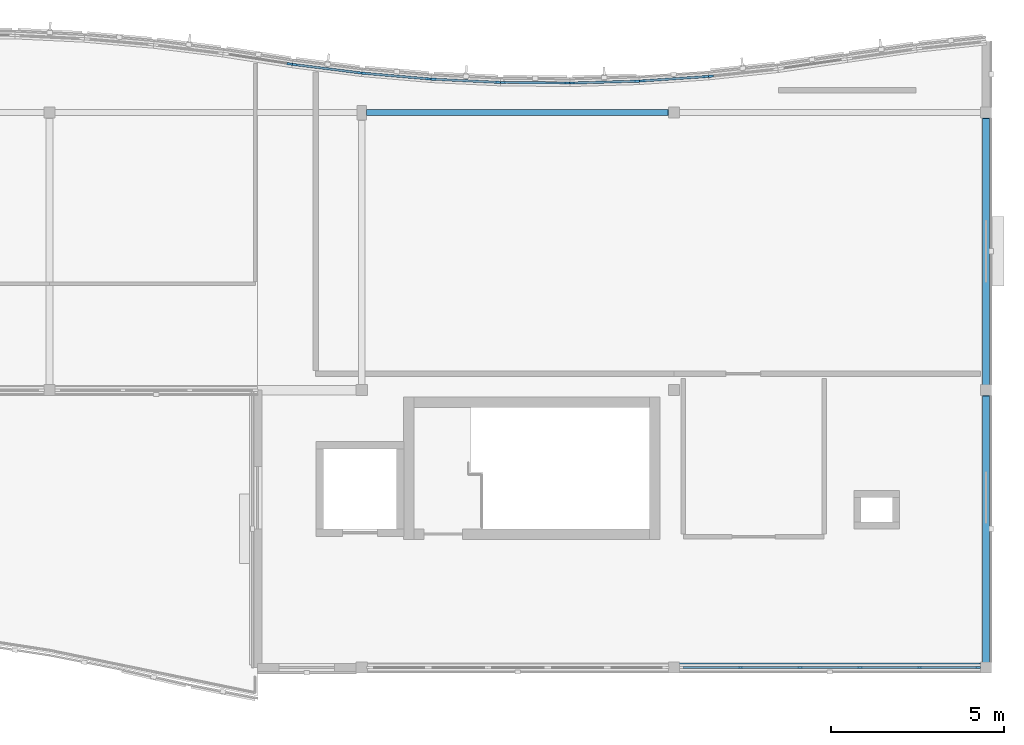
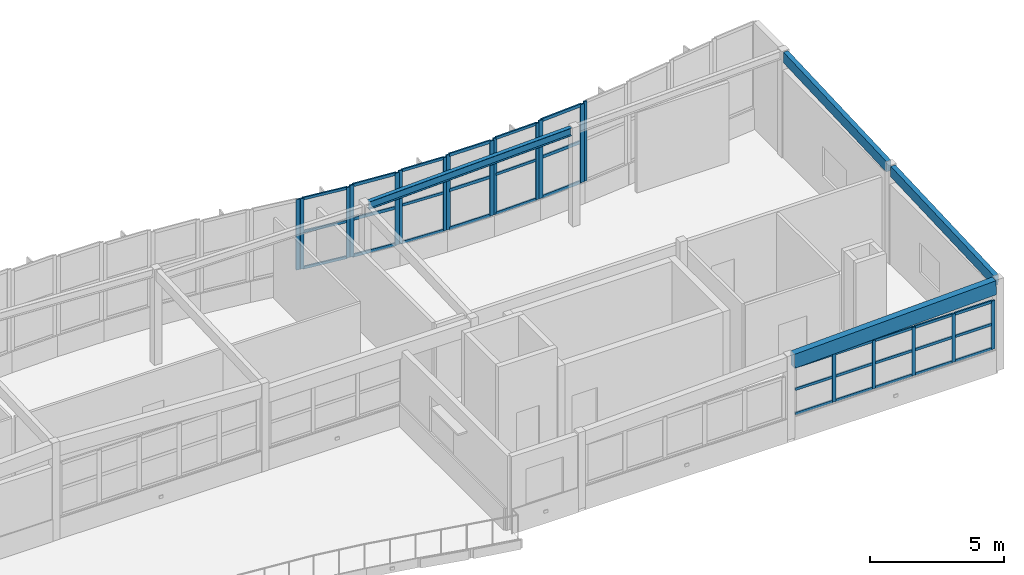
# One storey, part 8 of 20: 52 members, 4 beams, 9 elements without a shape of their own.
"""IFC4 building model written with IfcOpenShell, lengths in metres."""

from ifc_helpers import new_model, si_unit, direction, frame, origin, origin_2d, place, context, subcontext, project, spatial, rectangle, i_section, extrude, material, layer, layer_set, material_profile, profile_set, type_object, element, aggregate, save


model = new_model("IFC4")

# Units and contexts
model_context = context("Model", 3, precision=1e-05, world=origin(), true_north=direction((0.0, 1.0)))
body_context = subcontext(model_context, "Body", "Model", "MODEL_VIEW")
ifc_project = project(units=[si_unit("LENGTHUNIT", "METRE"), si_unit("AREAUNIT", "SQUARE_METRE"), si_unit("VOLUMEUNIT", "CUBIC_METRE"), si_unit("PLANEANGLEUNIT", "RADIAN"), si_unit("MASSUNIT", "GRAM", prefix="KILO")], contexts=[model_context])

# Site, building, storey
site_placement = place(None, origin())
site = spatial("IfcSite", under=ifc_project, at=site_placement, CompositionType="ELEMENT")
building_placement = place(site_placement, origin())
building = spatial("IfcBuilding", under=site, at=building_placement, Name="Tonlespit Floodbar School", CompositionType="ELEMENT")
storey_placement = place(building_placement, frame((0.0, 0.0, 20.10009765625)))
storey = spatial("IfcBuildingStorey", under=building, at=storey_placement, Name="L05", CompositionType="ELEMENT", Elevation=20.10009765625)

# Beams
ifc_material_1 = material(Name="Glulam GL28h", Category="wood")
ifc_material_profile_1 = material_profile(ifc_material_1, rectangle(XDim=0.199951171875, YDim=0.47998046875, at=origin_2d()), Name="GL 200x480")
ifc_profile_set_1 = profile_set([ifc_material_profile_1], Name="Glulam GL28h")
beam_type_1 = type_object("IfcBeamType", Name="Beam_GL_200x480", PredefinedType="BEAM", material=ifc_profile_set_1)
for number, where, z_axis, x_axis, name in (
    (1, (116.0, 104.159912109375, 3.87890625), (0.0, 0.999069533259, 0.043128502326), (-1.0, 0.0, 0.0), "L05 girder 1359"),
    (2, (116.0, 112.159912109375, 4.224365234375), (0.0, 0.999070901195, 0.043096802496), (-1.0, 0.0, 0.0), "L05 girder 1360"),
):
    element("IfcBeam", number, at=place(storey_placement, frame(where, z_axis=z_axis, x_axis=x_axis)), inside=storey, type_object=beam_type_1, Name=name, PredefinedType="BEAM", context=body_context, shape_type="SweptSolid", body=[
        extrude(rectangle(XDim=0.199951171875, YDim=0.47998046875, at=origin_2d()), origin(), (0.0, 0.0, 1.0), 7.687255859375),
    ])
ifc_material_profile_2 = material_profile(ifc_material_1, rectangle(XDim=0.280029296875, YDim=0.639892578125, at=origin_2d()), Name="GL 280x640")
ifc_profile_set_2 = profile_set([ifc_material_profile_2], Name="Glulam GL28h")
beam_type_2 = type_object("IfcBeamType", Name="Beam_GL_280x640", PredefinedType="BEAM", material=ifc_profile_set_2)
beam_1_placement = place(storey_placement, frame((107.159912109375, 104.0, 3.4677734375), z_axis=(0.999327061247, 0.0, 0.036680030796), x_axis=(0.0, 1.0, 0.0)))
element("IfcBeam", 3, at=beam_1_placement, inside=storey, type_object=beam_type_2, Name="L05 girder 1339", PredefinedType="BEAM", context=body_context, shape_type="SweptSolid", body=[
    extrude(rectangle(XDim=0.280029296875, YDim=0.639892578125, at=origin_2d()), origin(), (0.0, 0.0, 1.0), 8.68603515625),
])

# Curtain wall, members
ifc_material_2 = material(Name="Anodised Aluminium", Category="aluminium")
ifc_layer_1 = layer(ifc_material_2, 0.159912109375)
ifc_layer_set_1 = layer_set([ifc_layer_1], Name="Anodised Aluminium")
curtain_wall_type_1 = type_object("IfcCurtainWallType", Name="CurtainWall_1950x3200", PredefinedType="NOTDEFINED", material=ifc_layer_set_1)
curtain_wall_1_placement = place(storey_placement, origin())
curtain_wall_1 = element("IfcCurtainWall", 4, at=curtain_wall_1_placement, inside=storey, type_object=curtain_wall_type_1, Name="L05 unitised curtain wall 0234", PredefinedType="NOTDEFINED")
ifc_material_profile_3 = material_profile(ifc_material_2, rectangle(XDim=0.06494140625, YDim=0.14990234375, at=origin_2d()), Name="ALU M65x150")
ifc_profile_set_3 = profile_set([ifc_material_profile_3], Name="Anodised Aluminium")
member_type_1 = type_object("IfcMemberType", Name="CW_Mullion_65x150", PredefinedType="MULLION", material=ifc_profile_set_3)
member_1_placement = place(storey_placement, frame((96.072021484375, 121.38525390625, 0.949951171875), z_axis=(0.0, 0.0, 1.0), x_axis=(0.125013803299, 0.992155002499, 0.0)))
member_1 = element("IfcMember", 5, at=member_1_placement, type_object=member_type_1, Name="CW-17 mullion 1", PredefinedType="MULLION", context=body_context, shape_type="SweptSolid", body=[
    extrude(rectangle(XDim=0.06494140625, YDim=0.14990234375, at=origin_2d()), origin(), (0.0, 0.0, 1.0), 3.208984375),
])
member_2_placement = place(storey_placement, frame((97.927978515625, 121.1513671875, 0.949951171875), z_axis=(0.0, 0.0, 1.0), x_axis=(0.125013803299, 0.992155002499, 0.0)))
member_2 = element("IfcMember", 6, at=member_2_placement, type_object=member_type_1, Name="CW-17 mullion 2", PredefinedType="MULLION", context=body_context, shape_type="SweptSolid", body=[
    extrude(rectangle(XDim=0.06494140625, YDim=0.14990234375, at=origin_2d()), origin(), (0.0, 0.0, 1.0), 3.208984375),
])

ifc_layer_2 = layer(ifc_material_2, 0.159912109375)
ifc_layer_set_2 = layer_set([ifc_layer_2], Name="Anodised Aluminium")
curtain_wall_type_2 = type_object("IfcCurtainWallType", Name="CurtainWall_1900x3350", PredefinedType="NOTDEFINED", material=ifc_layer_set_2)
curtain_wall_2_placement = place(storey_placement, origin())
curtain_wall_2 = element("IfcCurtainWall", 7, at=curtain_wall_2_placement, inside=storey, type_object=curtain_wall_type_2, Name="L05 unitised curtain wall 0236", PredefinedType="NOTDEFINED")
member_3_placement = place(storey_placement, frame((100.072509765625, 120.965087890625, 0.949951171875), z_axis=(0.0, 0.0, 1.0), x_axis=(0.048121270216, 0.998841500616, 0.0)))
member_3 = element("IfcMember", 8, at=member_3_placement, type_object=member_type_1, Name="CW-25 mullion 1", PredefinedType="MULLION", context=body_context, shape_type="SweptSolid", body=[
    extrude(rectangle(XDim=0.06494140625, YDim=0.14990234375, at=origin_2d()), origin(), (0.0, 0.0, 1.0), 3.33740234375),
])
member_4_placement = place(storey_placement, frame((101.927490234375, 120.875732421875, 0.949951171875), z_axis=(0.0, 0.0, 1.0), x_axis=(0.048121270216, 0.998841500616, 0.0)))
member_4 = element("IfcMember", 9, at=member_4_placement, type_object=member_type_1, Name="CW-25 mullion 2", PredefinedType="MULLION", context=body_context, shape_type="SweptSolid", body=[
    extrude(rectangle(XDim=0.06494140625, YDim=0.14990234375, at=origin_2d()), origin(), (0.0, 0.0, 1.0), 3.33740234375),
])

ifc_layer_3 = layer(ifc_material_2, 0.159912109375)
ifc_layer_set_3 = layer_set([ifc_layer_3], Name="Anodised Aluminium")
curtain_wall_type_3 = type_object("IfcCurtainWallType", Name="CurtainWall_1900x3500", PredefinedType="NOTDEFINED", material=ifc_layer_set_3)
curtain_wall_3_placement = place(storey_placement, origin())
curtain_wall_3 = element("IfcCurtainWall", 10, at=curtain_wall_3_placement, inside=storey, type_object=curtain_wall_type_3, Name="L05 unitised curtain wall 0238", PredefinedType="NOTDEFINED")
member_5_placement = place(storey_placement, frame((104.072509765625, 120.855224609375, 0.949951171875), z_axis=(0.0, 0.0, 1.0), x_axis=(-0.028790144226, 0.999585477883, 0.0)))
member_5 = element("IfcMember", 11, at=member_5_placement, type_object=member_type_1, Name="CW-20 mullion 1", PredefinedType="MULLION", context=body_context, shape_type="SweptSolid", body=[
    extrude(rectangle(XDim=0.06494140625, YDim=0.14990234375, at=origin_2d()), origin(), (0.0, 0.0, 1.0), 3.479248046875),
])
member_6_placement = place(storey_placement, frame((105.927490234375, 120.908447265625, 0.949951171875), z_axis=(0.0, 0.0, 1.0), x_axis=(-0.028790144226, 0.999585477883, 0.0)))
member_6 = element("IfcMember", 12, at=member_6_placement, type_object=member_type_1, Name="CW-20 mullion 2", PredefinedType="MULLION", context=body_context, shape_type="SweptSolid", body=[
    extrude(rectangle(XDim=0.06494140625, YDim=0.14990234375, at=origin_2d()), origin(), (0.0, 0.0, 1.0), 3.479248046875),
])

# Curtain wall, member
ifc_layer_4 = layer(ifc_material_2, 0.159912109375)
ifc_layer_set_4 = layer_set([ifc_layer_4], Name="Anodised Aluminium")
curtain_wall_type_4 = type_object("IfcCurtainWallType", Name="CurtainWall_1950x3650", PredefinedType="NOTDEFINED", material=ifc_layer_set_4)
curtain_wall_4_placement = place(storey_placement, origin())
curtain_wall_4 = element("IfcCurtainWall", 13, at=curtain_wall_4_placement, inside=storey, type_object=curtain_wall_type_4, Name="L05 unitised curtain wall 0240", PredefinedType="NOTDEFINED")
member_7_placement = place(storey_placement, frame((108.072021484375, 121.05322265625, 0.949951171875), z_axis=(0.0, 0.0, 1.0), x_axis=(-0.105787143968, 0.994388797288, 0.0)))
member_7 = element("IfcMember", 14, at=member_7_placement, type_object=member_type_1, Name="CW-26 mullion 1", PredefinedType="MULLION", context=body_context, shape_type="SweptSolid", body=[
    extrude(rectangle(XDim=0.06494140625, YDim=0.14990234375, at=origin_2d()), origin(), (0.0, 0.0, 1.0), 3.63427734375),
])
aggregate(curtain_wall_4, [member_7])

# Curtain wall, members
ifc_layer_5 = layer(ifc_material_2, 0.159912109375)
ifc_layer_set_5 = layer_set([ifc_layer_5], Name="Anodised Aluminium")
curtain_wall_type_5 = type_object("IfcCurtainWallType", Name="CurtainWall_8600x2200", PredefinedType="NOTDEFINED", material=ifc_layer_set_5)
curtain_wall_5_placement = place(storey_placement, origin())
curtain_wall_5 = element("IfcCurtainWall", 15, at=curtain_wall_5_placement, inside=storey, type_object=curtain_wall_type_5, Name="L05 unitised curtain wall 0244", PredefinedType="NOTDEFINED")
member_8_placement = place(storey_placement, frame((115.767578125, 104.0, 0.949951171875), z_axis=(0.0, 0.0, 1.0), x_axis=(0.0, -1.0, 0.0)))
member_8 = element("IfcMember", 16, at=member_8_placement, type_object=member_type_1, Name="CW-28 mullion 1", PredefinedType="MULLION", context=body_context, shape_type="SweptSolid", body=[
    extrude(rectangle(XDim=0.06494140625, YDim=0.14990234375, at=origin_2d()), origin(), (0.0, 0.0, 1.0), 2.19775390625),
])
member_9_placement = place(storey_placement, frame((114.080078125, 104.0, 0.949951171875), z_axis=(0.0, 0.0, 1.0), x_axis=(0.0, -1.0, 0.0)))
member_9 = element("IfcMember", 17, at=member_9_placement, type_object=member_type_1, Name="CW-28 mullion 2", PredefinedType="MULLION", context=body_context, shape_type="SweptSolid", body=[
    extrude(rectangle(XDim=0.06494140625, YDim=0.14990234375, at=origin_2d()), origin(), (0.0, 0.0, 1.0), 2.19775390625),
])
member_10_placement = place(storey_placement, frame((112.360107421875, 104.0, 0.949951171875), z_axis=(0.0, 0.0, 1.0), x_axis=(0.0, -1.0, 0.0)))
member_10 = element("IfcMember", 18, at=member_10_placement, type_object=member_type_1, Name="CW-28 mullion 3", PredefinedType="MULLION", context=body_context, shape_type="SweptSolid", body=[
    extrude(rectangle(XDim=0.06494140625, YDim=0.14990234375, at=origin_2d()), origin(), (0.0, 0.0, 1.0), 2.19775390625),
])
member_11_placement = place(storey_placement, frame((110.639892578125, 104.0, 0.949951171875), z_axis=(0.0, 0.0, 1.0), x_axis=(0.0, -1.0, 0.0)))
member_11 = element("IfcMember", 19, at=member_11_placement, type_object=member_type_1, Name="CW-28 mullion 4", PredefinedType="MULLION", context=body_context, shape_type="SweptSolid", body=[
    extrude(rectangle(XDim=0.06494140625, YDim=0.14990234375, at=origin_2d()), origin(), (0.0, 0.0, 1.0), 2.19775390625),
])
member_12_placement = place(storey_placement, frame((108.919921875, 104.0, 0.949951171875), z_axis=(0.0, 0.0, 1.0), x_axis=(0.0, -1.0, 0.0)))
member_12 = element("IfcMember", 20, at=member_12_placement, type_object=member_type_1, Name="CW-28 mullion 5", PredefinedType="MULLION", context=body_context, shape_type="SweptSolid", body=[
    extrude(rectangle(XDim=0.06494140625, YDim=0.14990234375, at=origin_2d()), origin(), (0.0, 0.0, 1.0), 2.19775390625),
])

# Curtain wall, member
curtain_wall_6_placement = place(storey_placement, origin())
curtain_wall_6 = element("IfcCurtainWall", 21, at=curtain_wall_6_placement, inside=storey, type_object=curtain_wall_type_1, Name="L05 unitised curtain wall 0233", PredefinedType="NOTDEFINED")
ifc_material_profile_4 = material_profile(ifc_material_2, rectangle(XDim=0.06494140625, YDim=0.179931640625, at=origin_2d()), Name="ALU M65x180")
ifc_profile_set_4 = profile_set([ifc_material_profile_4], Name="Anodised Aluminium")
member_type_2 = type_object("IfcMemberType", Name="CW_Mullion_65x180", PredefinedType="MULLION", material=ifc_profile_set_4)
member_13_placement = place(storey_placement, frame((95.928466796875, 121.405517578125, 0.949951171875), z_axis=(0.0, 0.0, 1.0), x_axis=(0.153796288585, 0.988102576465, 0.0)))
member_13 = element("IfcMember", 22, at=member_13_placement, type_object=member_type_2, Name="CW-17 mullion 2", PredefinedType="MULLION", context=body_context, shape_type="SweptSolid", body=[
    extrude(rectangle(XDim=0.06494140625, YDim=0.179931640625, at=origin_2d()), origin(), (0.0, 0.0, 1.0), 3.208984375),
])
aggregate(curtain_wall_6, [member_13])

# Curtain wall, members
ifc_layer_6 = layer(ifc_material_2, 0.159912109375)
ifc_layer_set_6 = layer_set([ifc_layer_6], Name="Anodised Aluminium")
curtain_wall_type_6 = type_object("IfcCurtainWallType", Name="CurtainWall_1950x3250", PredefinedType="NOTDEFINED", material=ifc_layer_set_6)
curtain_wall_7_placement = place(storey_placement, origin())
curtain_wall_7 = element("IfcCurtainWall", 23, at=curtain_wall_7_placement, inside=storey, type_object=curtain_wall_type_6, Name="L05 unitised curtain wall 0235", PredefinedType="NOTDEFINED")
member_14_placement = place(storey_placement, frame((98.072265625, 121.135986328125, 0.949951171875), z_axis=(0.0, 0.0, 1.0), x_axis=(0.086531117454, 0.996249148412, 0.0)))
member_14 = element("IfcMember", 24, at=member_14_placement, type_object=member_type_2, Name="CW-24 mullion 1", PredefinedType="MULLION", context=body_context, shape_type="SweptSolid", body=[
    extrude(rectangle(XDim=0.06494140625, YDim=0.179931640625, at=origin_2d()), origin(), (0.0, 0.0, 1.0), 3.271484375),
])
member_15_placement = place(storey_placement, frame((99.927734375, 120.974853515625, 0.949951171875), z_axis=(0.0, 0.0, 1.0), x_axis=(0.086531117454, 0.996249148412, 0.0)))
member_15 = element("IfcMember", 25, at=member_15_placement, type_object=member_type_2, Name="CW-24 mullion 2", PredefinedType="MULLION", context=body_context, shape_type="SweptSolid", body=[
    extrude(rectangle(XDim=0.06494140625, YDim=0.179931640625, at=origin_2d()), origin(), (0.0, 0.0, 1.0), 3.271484375),
])

ifc_layer_7 = layer(ifc_material_2, 0.159912109375)
ifc_layer_set_7 = layer_set([ifc_layer_7], Name="Anodised Aluminium")
curtain_wall_type_7 = type_object("IfcCurtainWallType", Name="CurtainWall_1900x3400", PredefinedType="NOTDEFINED", material=ifc_layer_set_7)
curtain_wall_8_placement = place(storey_placement, origin())
curtain_wall_8 = element("IfcCurtainWall", 26, at=curtain_wall_8_placement, inside=storey, type_object=curtain_wall_type_7, Name="L05 unitised curtain wall 0237", PredefinedType="NOTDEFINED")
member_16_placement = place(storey_placement, frame((102.072509765625, 120.87158203125, 0.949951171875), z_axis=(0.0, 0.0, 1.0), x_axis=(0.009582893292, 0.999954083024, 0.0)))
member_16 = element("IfcMember", 27, at=member_16_placement, type_object=member_type_2, Name="CW-19 mullion 1", PredefinedType="MULLION", context=body_context, shape_type="SweptSolid", body=[
    extrude(rectangle(XDim=0.06494140625, YDim=0.179931640625, at=origin_2d()), origin(), (0.0, 0.0, 1.0), 3.406494140625),
])
member_17_placement = place(storey_placement, frame((103.927490234375, 120.853759765625, 0.949951171875), z_axis=(0.0, 0.0, 1.0), x_axis=(0.009582893292, 0.999954083024, 0.0)))
member_17 = element("IfcMember", 28, at=member_17_placement, type_object=member_type_2, Name="CW-19 mullion 2", PredefinedType="MULLION", context=body_context, shape_type="SweptSolid", body=[
    extrude(rectangle(XDim=0.06494140625, YDim=0.179931640625, at=origin_2d()), origin(), (0.0, 0.0, 1.0), 3.406494140625),
])

ifc_layer_8 = layer(ifc_material_2, 0.159912109375)
ifc_layer_set_8 = layer_set([ifc_layer_8], Name="Anodised Aluminium")
curtain_wall_type_8 = type_object("IfcCurtainWallType", Name="CurtainWall_1900x3550", PredefinedType="NOTDEFINED", material=ifc_layer_set_8)
curtain_wall_9_placement = place(storey_placement, origin())
curtain_wall_9 = element("IfcCurtainWall", 29, at=curtain_wall_9_placement, inside=storey, type_object=curtain_wall_type_8, Name="L05 unitised curtain wall 0239", PredefinedType="NOTDEFINED")
member_18_placement = place(storey_placement, frame((106.072265625, 120.91552734375, 0.949951171875), z_axis=(0.0, 0.0, 1.0), x_axis=(-0.067339767311, 0.99773010165, 0.0)))
member_18 = element("IfcMember", 30, at=member_18_placement, type_object=member_type_2, Name="CW-14 mullion 1", PredefinedType="MULLION", context=body_context, shape_type="SweptSolid", body=[
    extrude(rectangle(XDim=0.06494140625, YDim=0.179931640625, at=origin_2d()), origin(), (0.0, 0.0, 1.0), 3.554931640625),
])
member_19_placement = place(storey_placement, frame((107.927734375, 121.040771484375, 0.949951171875), z_axis=(0.0, 0.0, 1.0), x_axis=(-0.067339767311, 0.99773010165, 0.0)))
member_19 = element("IfcMember", 31, at=member_19_placement, type_object=member_type_2, Name="CW-14 mullion 2", PredefinedType="MULLION", context=body_context, shape_type="SweptSolid", body=[
    extrude(rectangle(XDim=0.06494140625, YDim=0.179931640625, at=origin_2d()), origin(), (0.0, 0.0, 1.0), 3.554931640625),
])

# Member
ifc_material_profile_5 = material_profile(ifc_material_2, rectangle(XDim=0.06494140625, YDim=0.1201171875, at=origin_2d()), Name="ALU T65x120")
ifc_profile_set_5 = profile_set([ifc_material_profile_5], Name="Anodised Aluminium")
member_type_3 = type_object("IfcMemberType", Name="CW_Transom_65x120", PredefinedType="USERDEFINED", material=ifc_profile_set_5)
member_20_placement = place(storey_placement, frame((96.104248046875, 121.381103515625, 0.982421875), z_axis=(0.992165142165, -0.124933304901, 0.0), x_axis=(0.124933304901, 0.992165142165, 0.0)))
member_20 = element("IfcMember", 32, at=member_20_placement, type_object=member_type_3, Name="CW-17 transom 1.1", ObjectType="TRANSOM", PredefinedType="USERDEFINED", context=body_context, shape_type="SweptSolid", body=[
    extrude(rectangle(XDim=0.06494140625, YDim=0.1201171875, at=origin_2d()), origin(), (0.0, 0.0, 1.0), 1.8056640625),
])

member_21_placement = place(storey_placement, frame((96.104248046875, 121.381103515625, 2.61865234375), z_axis=(0.992165142165, -0.124933304901, 0.0), x_axis=(0.124933304901, 0.992165142165, 0.0)))
member_21 = element("IfcMember", 33, at=member_21_placement, type_object=member_type_3, Name="CW-17 transom 1.2", ObjectType="TRANSOM", PredefinedType="USERDEFINED", context=body_context, shape_type="SweptSolid", body=[
    extrude(rectangle(XDim=0.06494140625, YDim=0.1201171875, at=origin_2d()), origin(), (0.0, 0.0, 1.0), 1.8056640625),
])

member_22_placement = place(storey_placement, frame((96.104248046875, 121.381103515625, 4.12646484375), z_axis=(0.992165142165, -0.124933304901, 0.0), x_axis=(0.124933304901, 0.992165142165, 0.0)))
member_22 = element("IfcMember", 34, at=member_22_placement, type_object=member_type_3, Name="CW-17 transom 1.3", ObjectType="TRANSOM", PredefinedType="USERDEFINED", context=body_context, shape_type="SweptSolid", body=[
    extrude(rectangle(XDim=0.06494140625, YDim=0.1201171875, at=origin_2d()), origin(), (0.0, 0.0, 1.0), 1.8056640625),
])

aggregate(curtain_wall_1, [member_1, member_2, member_20, member_21, member_22])

member_23_placement = place(storey_placement, frame((100.10498046875, 120.96337890625, 0.982421875), z_axis=(0.998843034795, -0.048089415069, 0.0), x_axis=(0.048089415069, 0.998843034795, 0.0)))
member_23 = element("IfcMember", 35, at=member_23_placement, type_object=member_type_3, Name="CW-25 transom 1.1", ObjectType="TRANSOM", PredefinedType="USERDEFINED", context=body_context, shape_type="SweptSolid", body=[
    extrude(rectangle(XDim=0.06494140625, YDim=0.1201171875, at=origin_2d()), origin(), (0.0, 0.0, 1.0), 1.7919921875),
])

member_24_placement = place(storey_placement, frame((100.10498046875, 120.96337890625, 2.685302734375), z_axis=(0.998843034795, -0.048089415069, 0.0), x_axis=(0.048089415069, 0.998843034795, 0.0)))
member_24 = element("IfcMember", 36, at=member_24_placement, type_object=member_type_3, Name="CW-25 transom 1.2", ObjectType="TRANSOM", PredefinedType="USERDEFINED", context=body_context, shape_type="SweptSolid", body=[
    extrude(rectangle(XDim=0.06494140625, YDim=0.1201171875, at=origin_2d()), origin(), (0.0, 0.0, 1.0), 1.7919921875),
])

member_25_placement = place(storey_placement, frame((100.10498046875, 120.96337890625, 4.2548828125), z_axis=(0.998843034795, -0.048089415069, 0.0), x_axis=(0.048089415069, 0.998843034795, 0.0)))
member_25 = element("IfcMember", 37, at=member_25_placement, type_object=member_type_3, Name="CW-25 transom 1.3", ObjectType="TRANSOM", PredefinedType="USERDEFINED", context=body_context, shape_type="SweptSolid", body=[
    extrude(rectangle(XDim=0.06494140625, YDim=0.1201171875, at=origin_2d()), origin(), (0.0, 0.0, 1.0), 1.7919921875),
])

aggregate(curtain_wall_2, [member_3, member_4, member_23, member_24, member_25])

member_26_placement = place(storey_placement, frame((104.10498046875, 120.85595703125, 0.982421875), z_axis=(0.999582242166, 0.028902268868, 0.0), x_axis=(-0.028902268868, 0.999582242166, 0.0)))
member_26 = element("IfcMember", 38, at=member_26_placement, type_object=member_type_3, Name="CW-20 transom 1.1", ObjectType="TRANSOM", PredefinedType="USERDEFINED", context=body_context, shape_type="SweptSolid", body=[
    extrude(rectangle(XDim=0.06494140625, YDim=0.1201171875, at=origin_2d()), origin(), (0.0, 0.0, 1.0), 1.790771484375),
])

member_27_placement = place(storey_placement, frame((104.10498046875, 120.85595703125, 2.759033203125), z_axis=(0.999582242166, 0.028902268868, 0.0), x_axis=(-0.028902268868, 0.999582242166, 0.0)))
member_27 = element("IfcMember", 39, at=member_27_placement, type_object=member_type_3, Name="CW-20 transom 1.2", ObjectType="TRANSOM", PredefinedType="USERDEFINED", context=body_context, shape_type="SweptSolid", body=[
    extrude(rectangle(XDim=0.06494140625, YDim=0.1201171875, at=origin_2d()), origin(), (0.0, 0.0, 1.0), 1.790771484375),
])

member_28_placement = place(storey_placement, frame((104.10498046875, 120.85595703125, 4.396484375), z_axis=(0.999582242166, 0.028902268868, 0.0), x_axis=(-0.028902268868, 0.999582242166, 0.0)))
member_28 = element("IfcMember", 40, at=member_28_placement, type_object=member_type_3, Name="CW-20 transom 1.3", ObjectType="TRANSOM", PredefinedType="USERDEFINED", context=body_context, shape_type="SweptSolid", body=[
    extrude(rectangle(XDim=0.06494140625, YDim=0.1201171875, at=origin_2d()), origin(), (0.0, 0.0, 1.0), 1.790771484375),
])

aggregate(curtain_wall_3, [member_5, member_6, member_26, member_27, member_28])

member_29_placement = place(storey_placement, frame((115.735107421875, 104.0, 0.982421875), z_axis=(-1.0, 0.0, 0.0), x_axis=(0.0, -1.0, 0.0)))
member_29 = element("IfcMember", 41, at=member_29_placement, type_object=member_type_3, Name="CW-28 transom 1.1", ObjectType="TRANSOM", PredefinedType="USERDEFINED", context=body_context, shape_type="SweptSolid", body=[
    extrude(rectangle(XDim=0.06494140625, YDim=0.1201171875, at=origin_2d()), origin(), (0.0, 0.0, 1.0), 1.62255859375),
])

member_30_placement = place(storey_placement, frame((115.735107421875, 104.0, 2.0927734375), z_axis=(-1.0, 0.0, 0.0), x_axis=(0.0, -1.0, 0.0)))
member_30 = element("IfcMember", 42, at=member_30_placement, type_object=member_type_3, Name="CW-28 transom 1.2", ObjectType="TRANSOM", PredefinedType="USERDEFINED", context=body_context, shape_type="SweptSolid", body=[
    extrude(rectangle(XDim=0.06494140625, YDim=0.1201171875, at=origin_2d()), origin(), (0.0, 0.0, 1.0), 1.62255859375),
])

member_31_placement = place(storey_placement, frame((115.735107421875, 104.0, 3.115234375), z_axis=(-1.0, 0.0, 0.0), x_axis=(0.0, -1.0, 0.0)))
member_31 = element("IfcMember", 43, at=member_31_placement, type_object=member_type_3, Name="CW-28 transom 1.3", ObjectType="TRANSOM", PredefinedType="USERDEFINED", context=body_context, shape_type="SweptSolid", body=[
    extrude(rectangle(XDim=0.06494140625, YDim=0.1201171875, at=origin_2d()), origin(), (0.0, 0.0, 1.0), 1.62255859375),
])

member_32_placement = place(storey_placement, frame((114.047607421875, 104.0, 0.982421875), z_axis=(-1.0, 0.0, 0.0), x_axis=(0.0, -1.0, 0.0)))
member_32 = element("IfcMember", 44, at=member_32_placement, type_object=member_type_3, Name="CW-28 transom 2.1", ObjectType="TRANSOM", PredefinedType="USERDEFINED", context=body_context, shape_type="SweptSolid", body=[
    extrude(rectangle(XDim=0.06494140625, YDim=0.1201171875, at=origin_2d()), origin(), (0.0, 0.0, 1.0), 1.655029296875),
])

member_33_placement = place(storey_placement, frame((114.047607421875, 104.0, 2.0927734375), z_axis=(-1.0, 0.0, 0.0), x_axis=(0.0, -1.0, 0.0)))
member_33 = element("IfcMember", 45, at=member_33_placement, type_object=member_type_3, Name="CW-28 transom 2.2", ObjectType="TRANSOM", PredefinedType="USERDEFINED", context=body_context, shape_type="SweptSolid", body=[
    extrude(rectangle(XDim=0.06494140625, YDim=0.1201171875, at=origin_2d()), origin(), (0.0, 0.0, 1.0), 1.655029296875),
])

member_34_placement = place(storey_placement, frame((114.047607421875, 104.0, 3.115234375), z_axis=(-1.0, 0.0, 0.0), x_axis=(0.0, -1.0, 0.0)))
member_34 = element("IfcMember", 46, at=member_34_placement, type_object=member_type_3, Name="CW-28 transom 2.3", ObjectType="TRANSOM", PredefinedType="USERDEFINED", context=body_context, shape_type="SweptSolid", body=[
    extrude(rectangle(XDim=0.06494140625, YDim=0.1201171875, at=origin_2d()), origin(), (0.0, 0.0, 1.0), 1.655029296875),
])

member_35_placement = place(storey_placement, frame((112.327392578125, 104.0, 0.982421875), z_axis=(-1.0, 0.0, 0.0), x_axis=(0.0, -1.0, 0.0)))
member_35 = element("IfcMember", 47, at=member_35_placement, type_object=member_type_3, Name="CW-28 transom 3.1", ObjectType="TRANSOM", PredefinedType="USERDEFINED", context=body_context, shape_type="SweptSolid", body=[
    extrude(rectangle(XDim=0.06494140625, YDim=0.1201171875, at=origin_2d()), origin(), (0.0, 0.0, 1.0), 1.65478515625),
])

member_36_placement = place(storey_placement, frame((112.327392578125, 104.0, 2.0927734375), z_axis=(-1.0, 0.0, 0.0), x_axis=(0.0, -1.0, 0.0)))
member_36 = element("IfcMember", 48, at=member_36_placement, type_object=member_type_3, Name="CW-28 transom 3.2", ObjectType="TRANSOM", PredefinedType="USERDEFINED", context=body_context, shape_type="SweptSolid", body=[
    extrude(rectangle(XDim=0.06494140625, YDim=0.1201171875, at=origin_2d()), origin(), (0.0, 0.0, 1.0), 1.65478515625),
])

member_37_placement = place(storey_placement, frame((112.327392578125, 104.0, 3.115234375), z_axis=(-1.0, 0.0, 0.0), x_axis=(0.0, -1.0, 0.0)))
member_37 = element("IfcMember", 49, at=member_37_placement, type_object=member_type_3, Name="CW-28 transom 3.3", ObjectType="TRANSOM", PredefinedType="USERDEFINED", context=body_context, shape_type="SweptSolid", body=[
    extrude(rectangle(XDim=0.06494140625, YDim=0.1201171875, at=origin_2d()), origin(), (0.0, 0.0, 1.0), 1.65478515625),
])

member_38_placement = place(storey_placement, frame((110.607421875, 104.0, 0.982421875), z_axis=(-1.0, 0.0, 0.0), x_axis=(0.0, -1.0, 0.0)))
member_38 = element("IfcMember", 50, at=member_38_placement, type_object=member_type_3, Name="CW-28 transom 4.1", ObjectType="TRANSOM", PredefinedType="USERDEFINED", context=body_context, shape_type="SweptSolid", body=[
    extrude(rectangle(XDim=0.06494140625, YDim=0.1201171875, at=origin_2d()), origin(), (0.0, 0.0, 1.0), 1.655029296875),
])

member_39_placement = place(storey_placement, frame((110.607421875, 104.0, 2.0927734375), z_axis=(-1.0, 0.0, 0.0), x_axis=(0.0, -1.0, 0.0)))
member_39 = element("IfcMember", 51, at=member_39_placement, type_object=member_type_3, Name="CW-28 transom 4.2", ObjectType="TRANSOM", PredefinedType="USERDEFINED", context=body_context, shape_type="SweptSolid", body=[
    extrude(rectangle(XDim=0.06494140625, YDim=0.1201171875, at=origin_2d()), origin(), (0.0, 0.0, 1.0), 1.655029296875),
])

member_40_placement = place(storey_placement, frame((110.607421875, 104.0, 3.115234375), z_axis=(-1.0, 0.0, 0.0), x_axis=(0.0, -1.0, 0.0)))
member_40 = element("IfcMember", 52, at=member_40_placement, type_object=member_type_3, Name="CW-28 transom 4.3", ObjectType="TRANSOM", PredefinedType="USERDEFINED", context=body_context, shape_type="SweptSolid", body=[
    extrude(rectangle(XDim=0.06494140625, YDim=0.1201171875, at=origin_2d()), origin(), (0.0, 0.0, 1.0), 1.655029296875),
])

member_41_placement = place(storey_placement, frame((108.887451171875, 104.0, 0.982421875), z_axis=(-1.0, 0.0, 0.0), x_axis=(0.0, -1.0, 0.0)))
member_41 = element("IfcMember", 53, at=member_41_placement, type_object=member_type_3, Name="CW-28 transom 5.1", ObjectType="TRANSOM", PredefinedType="USERDEFINED", context=body_context, shape_type="SweptSolid", body=[
    extrude(rectangle(XDim=0.06494140625, YDim=0.1201171875, at=origin_2d()), origin(), (0.0, 0.0, 1.0), 1.62255859375),
])

member_42_placement = place(storey_placement, frame((108.887451171875, 104.0, 2.0927734375), z_axis=(-1.0, 0.0, 0.0), x_axis=(0.0, -1.0, 0.0)))
member_42 = element("IfcMember", 54, at=member_42_placement, type_object=member_type_3, Name="CW-28 transom 5.2", ObjectType="TRANSOM", PredefinedType="USERDEFINED", context=body_context, shape_type="SweptSolid", body=[
    extrude(rectangle(XDim=0.06494140625, YDim=0.1201171875, at=origin_2d()), origin(), (0.0, 0.0, 1.0), 1.62255859375),
])

member_43_placement = place(storey_placement, frame((108.887451171875, 104.0, 3.115234375), z_axis=(-1.0, 0.0, 0.0), x_axis=(0.0, -1.0, 0.0)))
member_43 = element("IfcMember", 55, at=member_43_placement, type_object=member_type_3, Name="CW-28 transom 5.3", ObjectType="TRANSOM", PredefinedType="USERDEFINED", context=body_context, shape_type="SweptSolid", body=[
    extrude(rectangle(XDim=0.06494140625, YDim=0.1201171875, at=origin_2d()), origin(), (0.0, 0.0, 1.0), 1.62255859375),
])

aggregate(curtain_wall_5, [member_8, member_9, member_10, member_11, member_12, member_29, member_30, member_31, member_32, member_33, member_34, member_35, member_36, member_37, member_38, member_39, member_40, member_41, member_42, member_43])

ifc_material_profile_6 = material_profile(ifc_material_2, rectangle(XDim=0.06494140625, YDim=0.139892578125, at=origin_2d()), Name="ALU T65x140")
ifc_profile_set_6 = profile_set([ifc_material_profile_6], Name="Anodised Aluminium")
member_type_4 = type_object("IfcMemberType", Name="CW_Transom_65x140", PredefinedType="USERDEFINED", material=ifc_profile_set_6)
member_44_placement = place(storey_placement, frame((98.1044921875, 121.133056640625, 0.982421875), z_axis=(0.996251281774, -0.086506552139, 0.0), x_axis=(0.086506552139, 0.996251281774, 0.0)))
member_44 = element("IfcMember", 56, at=member_44_placement, type_object=member_type_4, Name="CW-24 transom 1.1", ObjectType="TRANSOM", PredefinedType="USERDEFINED", context=body_context, shape_type="SweptSolid", body=[
    extrude(rectangle(XDim=0.06494140625, YDim=0.139892578125, at=origin_2d()), origin(), (0.0, 0.0, 1.0), 1.7978515625),
])

member_45_placement = place(storey_placement, frame((98.1044921875, 121.133056640625, 2.651123046875), z_axis=(0.996251281774, -0.086506552139, 0.0), x_axis=(0.086506552139, 0.996251281774, 0.0)))
member_45 = element("IfcMember", 57, at=member_45_placement, type_object=member_type_4, Name="CW-24 transom 1.2", ObjectType="TRANSOM", PredefinedType="USERDEFINED", context=body_context, shape_type="SweptSolid", body=[
    extrude(rectangle(XDim=0.06494140625, YDim=0.139892578125, at=origin_2d()), origin(), (0.0, 0.0, 1.0), 1.7978515625),
])

member_46_placement = place(storey_placement, frame((98.1044921875, 121.133056640625, 4.18896484375), z_axis=(0.996251281774, -0.086506552139, 0.0), x_axis=(0.086506552139, 0.996251281774, 0.0)))
member_46 = element("IfcMember", 58, at=member_46_placement, type_object=member_type_4, Name="CW-24 transom 1.3", ObjectType="TRANSOM", PredefinedType="USERDEFINED", context=body_context, shape_type="SweptSolid", body=[
    extrude(rectangle(XDim=0.06494140625, YDim=0.139892578125, at=origin_2d()), origin(), (0.0, 0.0, 1.0), 1.7978515625),
])

aggregate(curtain_wall_7, [member_14, member_15, member_44, member_45, member_46])

member_47_placement = place(storey_placement, frame((102.10498046875, 120.87109375, 0.982421875), z_axis=(0.999954428693, -0.00954675532, 0.0), x_axis=(0.00954675532, 0.999954428693, 0.0)))
member_47 = element("IfcMember", 59, at=member_47_placement, type_object=member_type_4, Name="CW-19 transom 1.1", ObjectType="TRANSOM", PredefinedType="USERDEFINED", context=body_context, shape_type="SweptSolid", body=[
    extrude(rectangle(XDim=0.06494140625, YDim=0.139892578125, at=origin_2d()), origin(), (0.0, 0.0, 1.0), 1.7900390625),
])

member_48_placement = place(storey_placement, frame((102.10498046875, 120.87109375, 2.72119140625), z_axis=(0.999954428693, -0.00954675532, 0.0), x_axis=(0.00954675532, 0.999954428693, 0.0)))
member_48 = element("IfcMember", 60, at=member_48_placement, type_object=member_type_4, Name="CW-19 transom 1.2", ObjectType="TRANSOM", PredefinedType="USERDEFINED", context=body_context, shape_type="SweptSolid", body=[
    extrude(rectangle(XDim=0.06494140625, YDim=0.139892578125, at=origin_2d()), origin(), (0.0, 0.0, 1.0), 1.7900390625),
])

member_49_placement = place(storey_placement, frame((102.10498046875, 120.87109375, 4.323974609375), z_axis=(0.999954428693, -0.00954675532, 0.0), x_axis=(0.00954675532, 0.999954428693, 0.0)))
member_49 = element("IfcMember", 61, at=member_49_placement, type_object=member_type_4, Name="CW-19 transom 1.3", ObjectType="TRANSOM", PredefinedType="USERDEFINED", context=body_context, shape_type="SweptSolid", body=[
    extrude(rectangle(XDim=0.06494140625, YDim=0.139892578125, at=origin_2d()), origin(), (0.0, 0.0, 1.0), 1.7900390625),
])

aggregate(curtain_wall_8, [member_16, member_17, member_47, member_48, member_49])

member_50_placement = place(storey_placement, frame((106.104736328125, 120.917724609375, 0.982421875), z_axis=(0.997730041674, 0.067340655935, 0.0), x_axis=(-0.067340655935, 0.997730041674, 0.0)))
member_50 = element("IfcMember", 62, at=member_50_placement, type_object=member_type_4, Name="CW-14 transom 1.1", ObjectType="TRANSOM", PredefinedType="USERDEFINED", context=body_context, shape_type="SweptSolid", body=[
    extrude(rectangle(XDim=0.06494140625, YDim=0.139892578125, at=origin_2d()), origin(), (0.0, 0.0, 1.0), 1.794677734375),
])

member_51_placement = place(storey_placement, frame((106.104736328125, 120.917724609375, 2.798583984375), z_axis=(0.997730041674, 0.067340655935, 0.0), x_axis=(-0.067340655935, 0.997730041674, 0.0)))
member_51 = element("IfcMember", 63, at=member_51_placement, type_object=member_type_4, Name="CW-14 transom 1.2", ObjectType="TRANSOM", PredefinedType="USERDEFINED", context=body_context, shape_type="SweptSolid", body=[
    extrude(rectangle(XDim=0.06494140625, YDim=0.139892578125, at=origin_2d()), origin(), (0.0, 0.0, 1.0), 1.794677734375),
])

member_52_placement = place(storey_placement, frame((106.104736328125, 120.917724609375, 4.472412109375), z_axis=(0.997730041674, 0.067340655935, 0.0), x_axis=(-0.067340655935, 0.997730041674, 0.0)))
member_52 = element("IfcMember", 64, at=member_52_placement, type_object=member_type_4, Name="CW-14 transom 1.3", ObjectType="TRANSOM", PredefinedType="USERDEFINED", context=body_context, shape_type="SweptSolid", body=[
    extrude(rectangle(XDim=0.06494140625, YDim=0.139892578125, at=origin_2d()), origin(), (0.0, 0.0, 1.0), 1.794677734375),
])

aggregate(curtain_wall_9, [member_18, member_19, member_50, member_51, member_52])

# Beam
ifc_material_3 = material(Name="Steel S355", Category="steel")
ifc_material_profile_7 = material_profile(ifc_material_3, i_section(OverallWidth=0.169921875, OverallDepth=0.360107421875, WebThickness=0.008056640625, FlangeThickness=0.0126953125, at=origin_2d()), Name="IPE 360")
ifc_profile_set_7 = profile_set([ifc_material_profile_7], Name="Steel S355")
beam_type_3 = type_object("IfcBeamType", Name="Spandrel_STL_IPE360", PredefinedType="SPANDREL", material=ifc_profile_set_7)
beam_2_placement = place(storey_placement, frame((98.139892578125, 120.0, 3.96728515625), z_axis=(0.999327071308, 0.0, 0.036679756686), x_axis=(0.0, 1.0, 0.0)))
element("IfcBeam", 65, at=beam_2_placement, inside=storey, type_object=beam_type_3, Name="L05 girder 1350", PredefinedType="SPANDREL", context=body_context, shape_type="SweptSolid", body=[
    extrude(i_section(OverallWidth=0.169921875, OverallDepth=0.360107421875, WebThickness=0.008056640625, FlangeThickness=0.0126953125, at=origin_2d()), origin(), (0.0, 0.0, 1.0), 8.7060546875),
])

save(model, "model.ifc")
